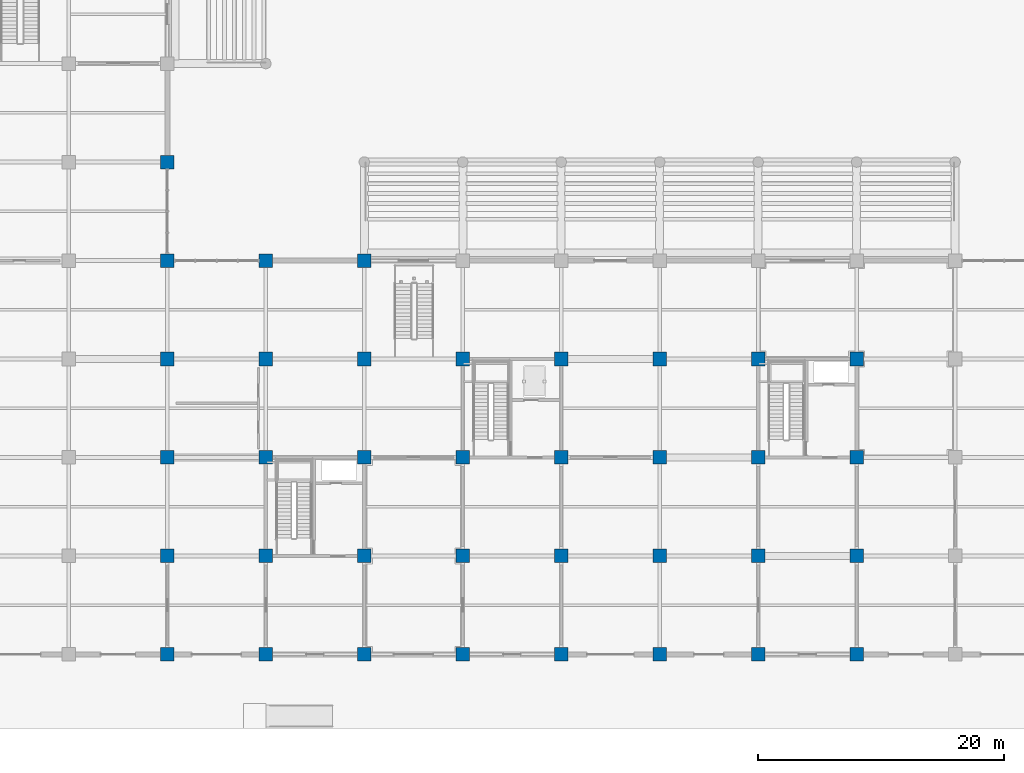
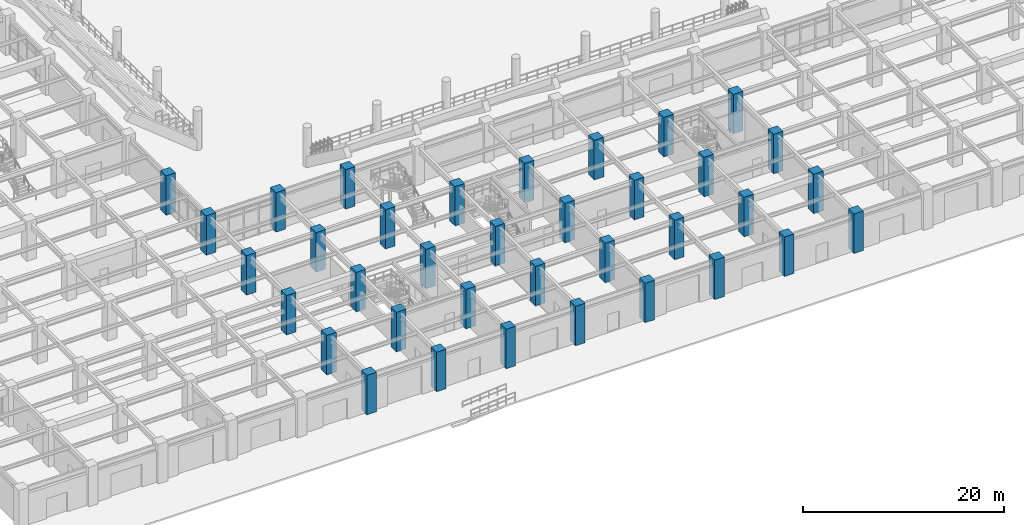
# One storey, part 3 of 125: 36 columns.
"""IFC4 building model written with IfcOpenShell, lengths in metres."""

from ifc_helpers import new_model, si_unit, direction, frame, origin, origin_2d, place, context, subcontext, project, spatial, rectangle, extrude, material, material_profile, profile_set, type_object, element, save


model = new_model("IFC4")

# Units and contexts
model_context = context("Model", 3, precision=1e-05, world=origin(), true_north=direction((0.0, 1.0)))
body_context = subcontext(model_context, "Body", "Model", "MODEL_VIEW")
ifc_project = project(units=[si_unit("LENGTHUNIT", "METRE"), si_unit("AREAUNIT", "SQUARE_METRE"), si_unit("VOLUMEUNIT", "CUBIC_METRE"), si_unit("PLANEANGLEUNIT", "RADIAN"), si_unit("MASSUNIT", "GRAM", prefix="KILO")], contexts=[model_context])

# Site, building, storey
site_placement = place(None, origin())
site = spatial("IfcSite", under=ifc_project, at=site_placement, CompositionType="ELEMENT")
building_placement = place(site_placement, origin())
building = spatial("IfcBuilding", under=site, at=building_placement, Name="Haebicheon Civic Stadium", CompositionType="ELEMENT")
storey_placement = place(building_placement, origin())
storey = spatial("IfcBuildingStorey", under=building, at=storey_placement, Name="L01", CompositionType="ELEMENT", Elevation=0.0)

# Columns
ifc_material = material(Name="Concrete C40/50", Category="concrete")
ifc_material_profile = material_profile(ifc_material, rectangle(XDim=1.10009765625, YDim=1.10009765625, at=origin_2d()), Name="RC-COL-1100x1100")
ifc_profile_set = profile_set([ifc_material_profile], Name="Concrete C40/50")
column_type = type_object("IfcColumnType", Name="COL-RC-1100", PredefinedType="COLUMN", material=ifc_profile_set)
for number, where, z_axis, x_axis, name in (
    (1, (64.0, 0.0, 0.0), (0.0, 0.0, 1.0), (1.0, 0.0, 0.0), "L01 column 9/A"),
    (2, (64.0, 8.0, 0.0), (0.0, 0.0, 1.0), (1.0, 0.0, 0.0), "L01 column 9/B"),
    (3, (64.0, 16.0, 0.0), (0.0, 0.0, 1.0), (1.0, 0.0, 0.0), "L01 column 9/C"),
    (4, (64.0, 24.0, 0.0), (0.0, 0.0, 1.0), (1.0, 0.0, 0.0), "L01 column 9/D"),
    (5, (64.0, 32.0, 0.0), (0.0, 0.0, 1.0), (1.0, 0.0, 0.0), "L01 column 9/E"),
    (6, (64.0, 40.0, 0.0), (0.0, 0.0, 1.0), (1.0, 0.0, 0.0), "L01 column 9/F"),
    (7, (72.0, 0.0, 0.0), (0.0, 0.0, 1.0), (1.0, 0.0, 0.0), "L01 column 10/A"),
    (8, (72.0, 8.0, 0.0), (0.0, 0.0, 1.0), (1.0, 0.0, 0.0), "L01 column 10/B"),
    (9, (72.0, 16.0, 0.0), (0.0, 0.0, 1.0), (1.0, 0.0, 0.0), "L01 column 10/C"),
    (10, (72.0, 24.0, 0.0), (0.0, 0.0, 1.0), (1.0, 0.0, 0.0), "L01 column 10/D"),
    (11, (72.0, 32.0, 0.0), (0.0, 0.0, 1.0), (1.0, 0.0, 0.0), "L01 column 10/E"),
    (12, (80.0, 0.0, 0.0), (0.0, 0.0, 1.0), (1.0, 0.0, 0.0), "L01 column 11/A"),
    (13, (80.0, 8.0, 0.0), (0.0, 0.0, 1.0), (1.0, 0.0, 0.0), "L01 column 11/B"),
    (14, (80.0, 16.0, 0.0), (0.0, 0.0, 1.0), (1.0, 0.0, 0.0), "L01 column 11/C"),
    (15, (80.0, 24.0, 0.0), (0.0, 0.0, 1.0), (1.0, 0.0, 0.0), "L01 column 11/D"),
    (16, (80.0, 32.0, 0.0), (0.0, 0.0, 1.0), (1.0, 0.0, 0.0), "L01 column 11/E"),
    (17, (88.0, 0.0, 0.0), (0.0, 0.0, 1.0), (1.0, 0.0, 0.0), "L01 column 12/A"),
    (18, (88.0, 8.0, 0.0), (0.0, 0.0, 1.0), (1.0, 0.0, 0.0), "L01 column 12/B"),
    (19, (88.0, 16.0, 0.0), (0.0, 0.0, 1.0), (1.0, 0.0, 0.0), "L01 column 12/C"),
    (20, (88.0, 24.0, 0.0), (0.0, 0.0, 1.0), (1.0, 0.0, 0.0), "L01 column 12/D"),
    (21, (96.0, 0.0, 0.0), (0.0, 0.0, 1.0), (1.0, 0.0, 0.0), "L01 column 13/A"),
    (22, (96.0, 8.0, 0.0), (0.0, 0.0, 1.0), (1.0, 0.0, 0.0), "L01 column 13/B"),
    (23, (96.0, 16.0, 0.0), (0.0, 0.0, 1.0), (1.0, 0.0, 0.0), "L01 column 13/C"),
    (24, (96.0, 24.0, 0.0), (0.0, 0.0, 1.0), (1.0, 0.0, 0.0), "L01 column 13/D"),
    (25, (104.0, 0.0, 0.0), (0.0, 0.0, 1.0), (1.0, 0.0, 0.0), "L01 column 14/A"),
    (26, (104.0, 8.0, 0.0), (0.0, 0.0, 1.0), (1.0, 0.0, 0.0), "L01 column 14/B"),
    (27, (104.0, 16.0, 0.0), (0.0, 0.0, 1.0), (1.0, 0.0, 0.0), "L01 column 14/C"),
    (28, (104.0, 24.0, 0.0), (0.0, 0.0, 1.0), (1.0, 0.0, 0.0), "L01 column 14/D"),
    (29, (112.0, 0.0, 0.0), (0.0, 0.0, 1.0), (1.0, 0.0, 0.0), "L01 column 15/A"),
    (30, (112.0, 8.0, 0.0), (0.0, 0.0, 1.0), (1.0, 0.0, 0.0), "L01 column 15/B"),
    (31, (112.0, 16.0, 0.0), (0.0, 0.0, 1.0), (1.0, 0.0, 0.0), "L01 column 15/C"),
    (32, (112.0, 24.0, 0.0), (0.0, 0.0, 1.0), (1.0, 0.0, 0.0), "L01 column 15/D"),
    (33, (120.0, 0.0, 0.0), (0.0, 0.0, 1.0), (1.0, 0.0, 0.0), "L01 column 16/A"),
    (34, (120.0, 8.0, 0.0), (0.0, 0.0, 1.0), (1.0, 0.0, 0.0), "L01 column 16/B"),
    (35, (120.0, 16.0, 0.0), (0.0, 0.0, 1.0), (1.0, 0.0, 0.0), "L01 column 16/C"),
    (36, (120.0, 24.0, 0.0), (0.0, 0.0, 1.0), (1.0, 0.0, 0.0), "L01 column 16/D"),
):
    element("IfcColumn", number, at=place(storey_placement, frame(where, z_axis=z_axis, x_axis=x_axis)), inside=storey, type_object=column_type, material=ifc_profile_set, Name=name, PredefinedType="COLUMN", context=body_context, shape_type="SweptSolid", body=[
        extrude(rectangle(XDim=1.10009765625, YDim=1.10009765625, at=origin_2d()), origin(), (0.0, 0.0, 1.0), 4.800048828125),
    ])

save(model, "model.ifc")
